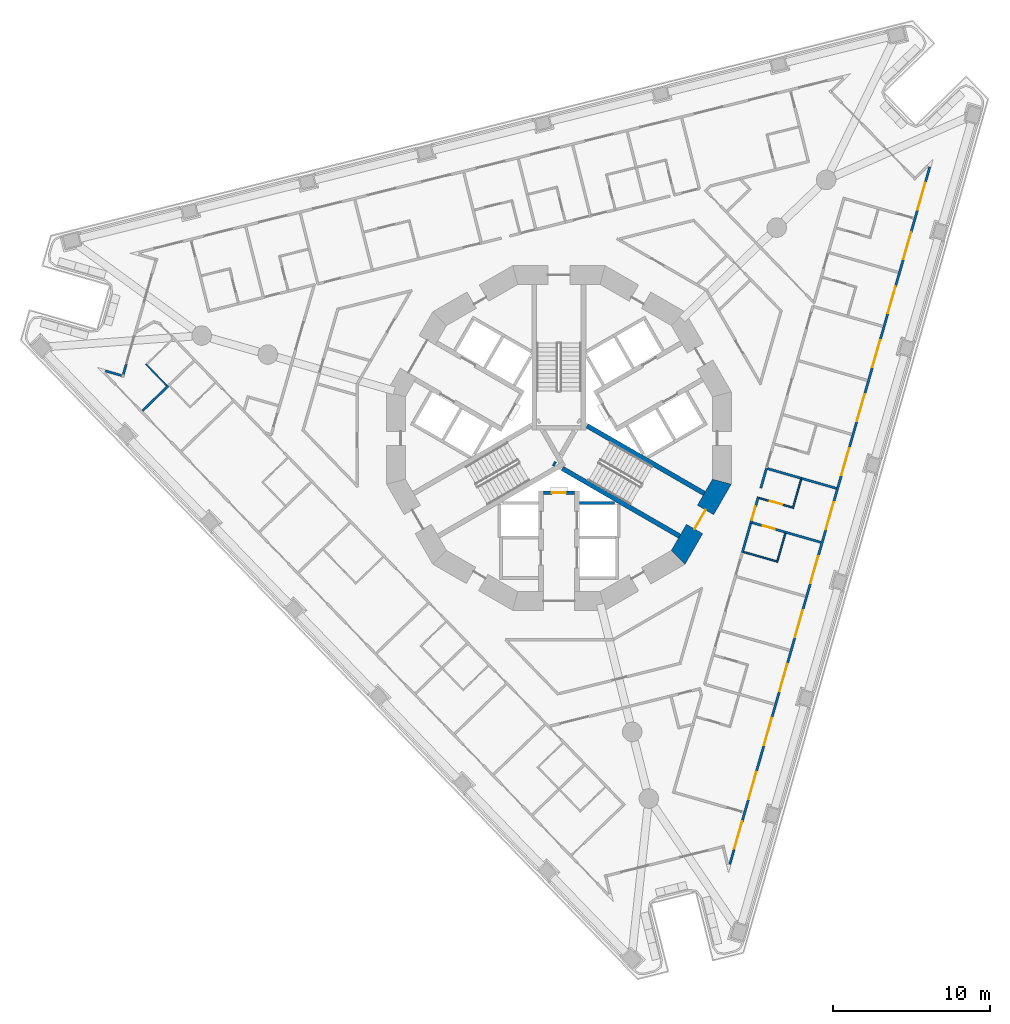
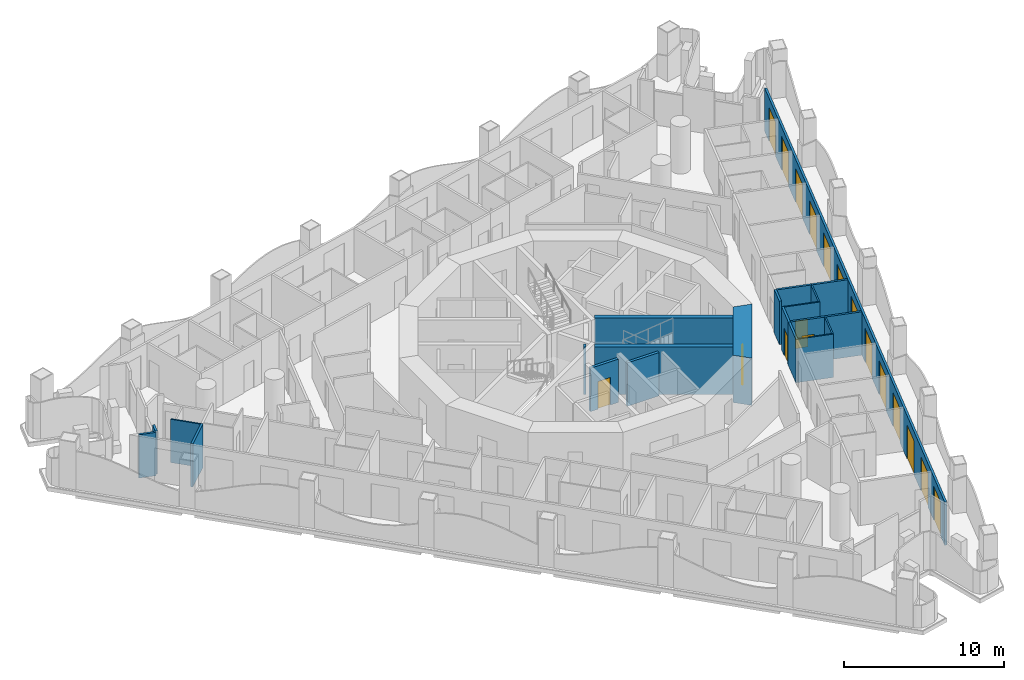
# One storey, part 5 of 19: 21 walls, 18 doors, 18 openings.
"""IFC4 building model written with IfcOpenShell, lengths in metres."""

from ifc_helpers import new_model, si_unit, direction, frame, frame_2d, origin, place, context, subcontext, project, spatial, polyline, rectangle, outline, extrude, material, layer, layer_set, type_object, element, fill, save


model = new_model("IFC4")

# Units and contexts
model_context = context("Model", 3, precision=1e-05, world=origin(), true_north=direction((0.0, 1.0)))
body_context = subcontext(model_context, "Body", "Model", "MODEL_VIEW")
ifc_project = project(units=[si_unit("LENGTHUNIT", "METRE"), si_unit("AREAUNIT", "SQUARE_METRE"), si_unit("VOLUMEUNIT", "CUBIC_METRE"), si_unit("PLANEANGLEUNIT", "RADIAN"), si_unit("MASSUNIT", "GRAM", prefix="KILO")], contexts=[model_context])

# Site, building, storey
site_placement = place(None, origin())
site = spatial("IfcSite", under=ifc_project, at=site_placement, CompositionType="ELEMENT")
building_placement = place(site_placement, origin())
building = spatial("IfcBuilding", under=site, at=building_placement, Name="Trine Commons Tower", CompositionType="ELEMENT")
storey_placement = place(building_placement, frame((0.0, 0.0, 105.300048828125)))
storey = spatial("IfcBuildingStorey", under=building, at=storey_placement, Name="L26", CompositionType="ELEMENT", Elevation=105.300048828125)

# Walls
ifc_material_1 = material(Name="Aluminium-framed insulated wall panel", Category="aluminium")
ifc_layer_1 = layer(ifc_material_1, 0.14990234375)
ifc_layer_set_1 = layer_set([ifc_layer_1], Name="Aluminium-framed insulated wall panel")
wall_type_1 = type_object("IfcWallType", Name="Glazed frame wall 150, EI 60", PredefinedType="SOLIDWALL", material=ifc_layer_set_1)
wall_1_placement = place(storey_placement, frame((50.88232421875, 66.82861328125, 0.0), z_axis=(0.0, 0.0, 1.0), x_axis=(0.961290718071, -0.275536123495, 0.0)))
element("IfcWall", 1, at=wall_1_placement, inside=storey, type_object=wall_type_1, Name="Glazed frame wall R1", PredefinedType="SOLIDWALL", context=body_context, shape_type="SweptSolid", body=[
    extrude(outline(polyline([(0.1494140625, 0.074951171875), (0.1494140625, -0.074951171875), (1.235107421875, -0.074951171875), (1.235107421875, 0.074951171875), (0.1494140625, 0.074951171875)])), origin(), (0.0, 0.0, 1.0), 3.300048828125),
])
wall_2_placement = place(storey_placement, frame((52.1318359375, 66.433837890625, 0.0), z_axis=(0.0, 0.0, 1.0), x_axis=(0.275567433055, 0.961281743215, 0.0)))
element("IfcWall", 2, at=wall_2_placement, inside=storey, type_object=wall_type_1, Name="Glazed frame wall P1.1", PredefinedType="SOLIDWALL", context=body_context, shape_type="SweptSolid", body=[
    extrude(outline(polyline([(0.110107421875, -0.074951171875), (0.800048828125, -0.074951171875), (0.800048828125, 0.074951171875), (0.110107421875, 0.074951171875), (0.110107421875, -0.074951171875)])), origin(), (0.0, 0.0, 1.0), 3.300048828125),
])

# Wall, openings, doors
wall_3_placement = place(storey_placement, frame((103.735107421875, 79.95703125, 0.0), z_axis=(0.0, 0.0, 1.0), x_axis=(-0.275637625225, -0.961261618687, 0.0)))
wall_3 = element("IfcWall", 3, at=wall_3_placement, inside=storey, type_object=wall_type_1, Name="Glazed frame wall F2", PredefinedType="SOLIDWALL", context=body_context, shape_type="SweptSolid", body=[
    extrude(outline(polyline([(0.1494140625, 0.074951171875), (0.1494140625, -0.074951171875), (46.496826171875, -0.074951171875), (46.496826171875, 0.074951171875), (0.1494140625, 0.074951171875)])), origin(), (0.0, 0.0, 1.0), 3.300048828125),
])
opening_1_placement = place(wall_3_placement, frame((1.194091796875, 0.0, 0.0)))
opening_1 = element("IfcOpeningElement", 4, at=opening_1_placement, cuts=wall_3, Name="Opening BD-3F2-01", PredefinedType="OPENING", context=body_context, shape_type="SweptSolid", body=[
    extrude(rectangle(XDim=1.800048828125, YDim=2.60009765625, at=frame_2d((0.89990234375, 1.300048828125))), frame((0.0, 0.0849609375, 0.0), z_axis=(0.0, -1.0, 0.0), x_axis=(1.0, 0.0, 0.0)), (0.0, 0.0, 1.0), 0.169921875),
])
opening_2_placement = place(wall_3_placement, frame((4.482421875, 0.0, 0.0)))
opening_2 = element("IfcOpeningElement", 5, at=opening_2_placement, cuts=wall_3, Name="Opening BD-3F2-02", PredefinedType="OPENING", context=body_context, shape_type="SweptSolid", body=[
    extrude(rectangle(XDim=1.800048828125, YDim=2.60009765625, at=frame_2d((0.89990234375, 1.300048828125))), frame((0.0, 0.0849609375, 0.0), z_axis=(0.0, -1.0, 0.0), x_axis=(1.0, 0.0, 0.0)), (0.0, 0.0, 1.0), 0.169921875),
])
opening_3_placement = place(wall_3_placement, frame((8.070556640625, 0.0, 0.0)))
opening_3 = element("IfcOpeningElement", 6, at=opening_3_placement, cuts=wall_3, Name="Opening BD-3F2-03", PredefinedType="OPENING", context=body_context, shape_type="SweptSolid", body=[
    extrude(rectangle(XDim=1.800048828125, YDim=2.60009765625, at=frame_2d((0.89990234375, 1.300048828125))), frame((0.0, 0.0849609375, 0.0), z_axis=(0.0, -1.0, 0.0), x_axis=(1.0, 0.0, 0.0)), (0.0, 0.0, 1.0), 0.169921875),
])
opening_4_placement = place(wall_3_placement, frame((11.65869140625, 0.0, 0.0)))
opening_4 = element("IfcOpeningElement", 7, at=opening_4_placement, cuts=wall_3, Name="Opening BD-3F2-04", PredefinedType="OPENING", context=body_context, shape_type="SweptSolid", body=[
    extrude(rectangle(XDim=1.800048828125, YDim=2.60009765625, at=frame_2d((0.89990234375, 1.300048828125))), frame((0.0, 0.0849609375, 0.0), z_axis=(0.0, -1.0, 0.0), x_axis=(1.0, 0.0, 0.0)), (0.0, 0.0, 1.0), 0.169921875),
])
opening_5_placement = place(wall_3_placement, frame((15.246826171875, 0.0, 0.0)))
opening_5 = element("IfcOpeningElement", 8, at=opening_5_placement, cuts=wall_3, Name="Opening BD-3F2-05", PredefinedType="OPENING", context=body_context, shape_type="SweptSolid", body=[
    extrude(rectangle(XDim=1.800048828125, YDim=2.60009765625, at=frame_2d((0.89990234375, 1.300048828125))), frame((0.0, 0.0849609375, 0.0), z_axis=(0.0, -1.0, 0.0), x_axis=(1.0, 0.0, 0.0)), (0.0, 0.0, 1.0), 0.169921875),
])
opening_6_placement = place(wall_3_placement, frame((18.835205078125, 0.0, 0.0)))
opening_6 = element("IfcOpeningElement", 9, at=opening_6_placement, cuts=wall_3, Name="Opening BD-3F2-06", PredefinedType="OPENING", context=body_context, shape_type="SweptSolid", body=[
    extrude(rectangle(XDim=1.800048828125, YDim=2.60009765625, at=frame_2d((0.89990234375, 1.300048828125))), frame((0.0, 0.0849609375, 0.0), z_axis=(0.0, -1.0, 0.0), x_axis=(1.0, 0.0, 0.0)), (0.0, 0.0, 1.0), 0.169921875),
])
opening_7_placement = place(wall_3_placement, frame((22.42333984375, 0.0, 0.0)))
opening_7 = element("IfcOpeningElement", 10, at=opening_7_placement, cuts=wall_3, Name="Opening BD-3F2-07", PredefinedType="OPENING", context=body_context, shape_type="SweptSolid", body=[
    extrude(rectangle(XDim=1.800048828125, YDim=2.60009765625, at=frame_2d((0.89990234375, 1.300048828125))), frame((0.0, 0.0849609375, 0.0), z_axis=(0.0, -1.0, 0.0), x_axis=(1.0, 0.0, 0.0)), (0.0, 0.0, 1.0), 0.169921875),
])
opening_8_placement = place(wall_3_placement, frame((26.011474609375, 0.0, 0.0)))
opening_8 = element("IfcOpeningElement", 11, at=opening_8_placement, cuts=wall_3, Name="Opening BD-3F2-08", PredefinedType="OPENING", context=body_context, shape_type="SweptSolid", body=[
    extrude(rectangle(XDim=1.800048828125, YDim=2.60009765625, at=frame_2d((0.89990234375, 1.300048828125))), frame((0.0, 0.0849609375, 0.0), z_axis=(0.0, -1.0, 0.0), x_axis=(1.0, 0.0, 0.0)), (0.0, 0.0, 1.0), 0.169921875),
])
opening_9_placement = place(wall_3_placement, frame((29.599609375, 0.0, 0.0)))
opening_9 = element("IfcOpeningElement", 12, at=opening_9_placement, cuts=wall_3, Name="Opening BD-3F2-09", PredefinedType="OPENING", context=body_context, shape_type="SweptSolid", body=[
    extrude(rectangle(XDim=1.800048828125, YDim=2.60009765625, at=frame_2d((0.89990234375, 1.300048828125))), frame((0.0, 0.0849609375, 0.0), z_axis=(0.0, -1.0, 0.0), x_axis=(1.0, 0.0, 0.0)), (0.0, 0.0, 1.0), 0.169921875),
])
opening_10_placement = place(wall_3_placement, frame((33.18798828125, 0.0, 0.0)))
opening_10 = element("IfcOpeningElement", 13, at=opening_10_placement, cuts=wall_3, Name="Opening BD-3F2-10", PredefinedType="OPENING", context=body_context, shape_type="SweptSolid", body=[
    extrude(rectangle(XDim=1.800048828125, YDim=2.60009765625, at=frame_2d((0.89990234375, 1.300048828125))), frame((0.0, 0.0849609375, 0.0), z_axis=(0.0, -1.0, 0.0), x_axis=(1.0, 0.0, 0.0)), (0.0, 0.0, 1.0), 0.169921875),
])
opening_11_placement = place(wall_3_placement, frame((36.776123046875, 0.0, 0.0)))
opening_11 = element("IfcOpeningElement", 14, at=opening_11_placement, cuts=wall_3, Name="Opening BD-3F2-11", PredefinedType="OPENING", context=body_context, shape_type="SweptSolid", body=[
    extrude(rectangle(XDim=1.800048828125, YDim=2.60009765625, at=frame_2d((0.89990234375, 1.300048828125))), frame((0.0, 0.0849609375, 0.0), z_axis=(0.0, -1.0, 0.0), x_axis=(1.0, 0.0, 0.0)), (0.0, 0.0, 1.0), 0.169921875),
])
opening_12_placement = place(wall_3_placement, frame((40.3642578125, 0.0, 0.0)))
opening_12 = element("IfcOpeningElement", 15, at=opening_12_placement, cuts=wall_3, Name="Opening BD-3F2-12", PredefinedType="OPENING", context=body_context, shape_type="SweptSolid", body=[
    extrude(rectangle(XDim=1.800048828125, YDim=2.60009765625, at=frame_2d((0.89990234375, 1.300048828125))), frame((0.0, 0.0849609375, 0.0), z_axis=(0.0, -1.0, 0.0), x_axis=(1.0, 0.0, 0.0)), (0.0, 0.0, 1.0), 0.169921875),
])
opening_13_placement = place(wall_3_placement, frame((43.652587890625, 0.0, 0.0)))
opening_13 = element("IfcOpeningElement", 16, at=opening_13_placement, cuts=wall_3, Name="Opening BD-3F2-13", PredefinedType="OPENING", context=body_context, shape_type="SweptSolid", body=[
    extrude(rectangle(XDim=1.800048828125, YDim=2.60009765625, at=frame_2d((0.89990234375, 1.300048828125))), frame((0.0, 0.0849609375, 0.0), z_axis=(0.0, -1.0, 0.0), x_axis=(1.0, 0.0, 0.0)), (0.0, 0.0, 1.0), 0.169921875),
])
ifc_material_2 = material(Name="Anodised aluminium frame with double glazing", Category="aluminium")
door_type_1 = type_object("IfcDoorType", Name="Sliding loggia door 1800x2600", OperationType="SLIDING_TO_LEFT", PredefinedType="DOOR", material=ifc_material_2)
door_1_placement = place(opening_1_placement, origin())
door_1 = element("IfcDoor", 17, at=door_1_placement, inside=storey, type_object=door_type_1, Name="Loggia door F2 1", OperationType="SLIDING_TO_LEFT", OverallHeight=2.60009765625, OverallWidth=1.800048828125, PredefinedType="DOOR", context=body_context, shape_type="SweptSolid", body=[
    extrude(rectangle(XDim=1.800048828125, YDim=2.60009765625, at=frame_2d((0.89990234375, 1.300048828125))), frame((0.0, 0.02490234375, 0.0), z_axis=(0.0, -1.0, 0.0), x_axis=(1.0, 0.0, 0.0)), (0.0, 0.0, 1.0), 0.050048828125),
])
fill(opening_1, door_1)
door_2_placement = place(opening_2_placement, origin())
door_2 = element("IfcDoor", 18, at=door_2_placement, inside=storey, type_object=door_type_1, Name="Loggia door F2 2", OperationType="SLIDING_TO_LEFT", OverallHeight=2.60009765625, OverallWidth=1.800048828125, PredefinedType="DOOR", context=body_context, shape_type="SweptSolid", body=[
    extrude(rectangle(XDim=1.800048828125, YDim=2.60009765625, at=frame_2d((0.89990234375, 1.300048828125))), frame((0.0, 0.02490234375, 0.0), z_axis=(0.0, -1.0, 0.0), x_axis=(1.0, 0.0, 0.0)), (0.0, 0.0, 1.0), 0.050048828125),
])
fill(opening_2, door_2)
door_3_placement = place(opening_3_placement, origin())
door_3 = element("IfcDoor", 19, at=door_3_placement, inside=storey, type_object=door_type_1, Name="Loggia door F2 3", OperationType="SLIDING_TO_LEFT", OverallHeight=2.60009765625, OverallWidth=1.800048828125, PredefinedType="DOOR", context=body_context, shape_type="SweptSolid", body=[
    extrude(rectangle(XDim=1.800048828125, YDim=2.60009765625, at=frame_2d((0.89990234375, 1.300048828125))), frame((0.0, 0.02490234375, 0.0), z_axis=(0.0, -1.0, 0.0), x_axis=(1.0, 0.0, 0.0)), (0.0, 0.0, 1.0), 0.050048828125),
])
fill(opening_3, door_3)
door_4_placement = place(opening_4_placement, origin())
door_4 = element("IfcDoor", 20, at=door_4_placement, inside=storey, type_object=door_type_1, Name="Loggia door F2 4", OperationType="SLIDING_TO_LEFT", OverallHeight=2.60009765625, OverallWidth=1.800048828125, PredefinedType="DOOR", context=body_context, shape_type="SweptSolid", body=[
    extrude(rectangle(XDim=1.800048828125, YDim=2.60009765625, at=frame_2d((0.89990234375, 1.300048828125))), frame((0.0, 0.02490234375, 0.0), z_axis=(0.0, -1.0, 0.0), x_axis=(1.0, 0.0, 0.0)), (0.0, 0.0, 1.0), 0.050048828125),
])
fill(opening_4, door_4)
door_5_placement = place(opening_5_placement, origin())
door_5 = element("IfcDoor", 21, at=door_5_placement, inside=storey, type_object=door_type_1, Name="Loggia door F2 5", OperationType="SLIDING_TO_LEFT", OverallHeight=2.60009765625, OverallWidth=1.800048828125, PredefinedType="DOOR", context=body_context, shape_type="SweptSolid", body=[
    extrude(rectangle(XDim=1.800048828125, YDim=2.60009765625, at=frame_2d((0.89990234375, 1.300048828125))), frame((0.0, 0.02490234375, 0.0), z_axis=(0.0, -1.0, 0.0), x_axis=(1.0, 0.0, 0.0)), (0.0, 0.0, 1.0), 0.050048828125),
])
fill(opening_5, door_5)
door_6_placement = place(opening_6_placement, origin())
door_6 = element("IfcDoor", 22, at=door_6_placement, inside=storey, type_object=door_type_1, Name="Loggia door F2 6", OperationType="SLIDING_TO_LEFT", OverallHeight=2.60009765625, OverallWidth=1.800048828125, PredefinedType="DOOR", context=body_context, shape_type="SweptSolid", body=[
    extrude(rectangle(XDim=1.800048828125, YDim=2.60009765625, at=frame_2d((0.89990234375, 1.300048828125))), frame((0.0, 0.02490234375, 0.0), z_axis=(0.0, -1.0, 0.0), x_axis=(1.0, 0.0, 0.0)), (0.0, 0.0, 1.0), 0.050048828125),
])
fill(opening_6, door_6)
door_7_placement = place(opening_7_placement, origin())
door_7 = element("IfcDoor", 23, at=door_7_placement, inside=storey, type_object=door_type_1, Name="Loggia door F2 7", OperationType="SLIDING_TO_LEFT", OverallHeight=2.60009765625, OverallWidth=1.800048828125, PredefinedType="DOOR", context=body_context, shape_type="SweptSolid", body=[
    extrude(rectangle(XDim=1.800048828125, YDim=2.60009765625, at=frame_2d((0.89990234375, 1.300048828125))), frame((0.0, 0.02490234375, 0.0), z_axis=(0.0, -1.0, 0.0), x_axis=(1.0, 0.0, 0.0)), (0.0, 0.0, 1.0), 0.050048828125),
])
fill(opening_7, door_7)
door_8_placement = place(opening_8_placement, origin())
door_8 = element("IfcDoor", 24, at=door_8_placement, inside=storey, type_object=door_type_1, Name="Loggia door F2 8", OperationType="SLIDING_TO_LEFT", OverallHeight=2.60009765625, OverallWidth=1.800048828125, PredefinedType="DOOR", context=body_context, shape_type="SweptSolid", body=[
    extrude(rectangle(XDim=1.800048828125, YDim=2.60009765625, at=frame_2d((0.89990234375, 1.300048828125))), frame((0.0, 0.02490234375, 0.0), z_axis=(0.0, -1.0, 0.0), x_axis=(1.0, 0.0, 0.0)), (0.0, 0.0, 1.0), 0.050048828125),
])
fill(opening_8, door_8)
door_9_placement = place(opening_9_placement, origin())
door_9 = element("IfcDoor", 25, at=door_9_placement, inside=storey, type_object=door_type_1, Name="Loggia door F2 9", OperationType="SLIDING_TO_LEFT", OverallHeight=2.60009765625, OverallWidth=1.800048828125, PredefinedType="DOOR", context=body_context, shape_type="SweptSolid", body=[
    extrude(rectangle(XDim=1.800048828125, YDim=2.60009765625, at=frame_2d((0.89990234375, 1.300048828125))), frame((0.0, 0.02490234375, 0.0), z_axis=(0.0, -1.0, 0.0), x_axis=(1.0, 0.0, 0.0)), (0.0, 0.0, 1.0), 0.050048828125),
])
fill(opening_9, door_9)
door_10_placement = place(opening_10_placement, origin())
door_10 = element("IfcDoor", 26, at=door_10_placement, inside=storey, type_object=door_type_1, Name="Loggia door F2 10", OperationType="SLIDING_TO_LEFT", OverallHeight=2.60009765625, OverallWidth=1.800048828125, PredefinedType="DOOR", context=body_context, shape_type="SweptSolid", body=[
    extrude(rectangle(XDim=1.800048828125, YDim=2.60009765625, at=frame_2d((0.89990234375, 1.300048828125))), frame((0.0, 0.02490234375, 0.0), z_axis=(0.0, -1.0, 0.0), x_axis=(1.0, 0.0, 0.0)), (0.0, 0.0, 1.0), 0.050048828125),
])
fill(opening_10, door_10)
door_11_placement = place(opening_11_placement, origin())
door_11 = element("IfcDoor", 27, at=door_11_placement, inside=storey, type_object=door_type_1, Name="Loggia door F2 11", OperationType="SLIDING_TO_LEFT", OverallHeight=2.60009765625, OverallWidth=1.800048828125, PredefinedType="DOOR", context=body_context, shape_type="SweptSolid", body=[
    extrude(rectangle(XDim=1.800048828125, YDim=2.60009765625, at=frame_2d((0.89990234375, 1.300048828125))), frame((0.0, 0.02490234375, 0.0), z_axis=(0.0, -1.0, 0.0), x_axis=(1.0, 0.0, 0.0)), (0.0, 0.0, 1.0), 0.050048828125),
])
fill(opening_11, door_11)
door_12_placement = place(opening_12_placement, origin())
door_12 = element("IfcDoor", 28, at=door_12_placement, inside=storey, type_object=door_type_1, Name="Loggia door F2 12", OperationType="SLIDING_TO_LEFT", OverallHeight=2.60009765625, OverallWidth=1.800048828125, PredefinedType="DOOR", context=body_context, shape_type="SweptSolid", body=[
    extrude(rectangle(XDim=1.800048828125, YDim=2.60009765625, at=frame_2d((0.89990234375, 1.300048828125))), frame((0.0, 0.02490234375, 0.0), z_axis=(0.0, -1.0, 0.0), x_axis=(1.0, 0.0, 0.0)), (0.0, 0.0, 1.0), 0.050048828125),
])
fill(opening_12, door_12)
door_13_placement = place(opening_13_placement, origin())
door_13 = element("IfcDoor", 29, at=door_13_placement, inside=storey, type_object=door_type_1, Name="Loggia door F2 13", OperationType="SLIDING_TO_LEFT", OverallHeight=2.60009765625, OverallWidth=1.800048828125, PredefinedType="DOOR", context=body_context, shape_type="SweptSolid", body=[
    extrude(rectangle(XDim=1.800048828125, YDim=2.60009765625, at=frame_2d((0.89990234375, 1.300048828125))), frame((0.0, 0.02490234375, 0.0), z_axis=(0.0, -1.0, 0.0), x_axis=(1.0, 0.0, 0.0)), (0.0, 0.0, 1.0), 0.050048828125),
])
fill(opening_13, door_13)

# Wall, opening, door
ifc_material_3 = material(Name="Fire-rated gypsum shaft wall system")
ifc_layer_2 = layer(ifc_material_3, 0.199951171875)
ifc_layer_set_2 = layer_set([ifc_layer_2], Name="Fire-rated gypsum shaft wall system")
wall_type_2 = type_object("IfcWallType", Name="Lobby end wall 200 mm, EI 120", PredefinedType="PARTITIONING", material=ifc_layer_set_2)
wall_4_placement = place(storey_placement, frame((79.0, 59.0, 0.0), z_axis=(0.0, 0.0, 1.0), x_axis=(1.0, 0.0, 0.0)))
wall_4 = element("IfcWall", 30, at=wall_4_placement, inside=storey, type_object=wall_type_2, Name="Lobby end wall L26", PredefinedType="PARTITIONING", context=body_context, shape_type="SweptSolid", body=[
    extrude(rectangle(XDim=2.0, YDim=0.199951171875, at=frame_2d((1.0, 0.0))), origin(), (0.0, 0.0, 1.0), 3.300048828125),
])
opening_14_placement = place(wall_4_placement, frame((0.550048828125, 0.0, 0.0)))
opening_14 = element("IfcOpeningElement", 31, at=opening_14_placement, cuts=wall_4, Name="Opening K05.09", PredefinedType="OPENING", context=body_context, shape_type="SweptSolid", body=[
    extrude(rectangle(XDim=0.89990234375, YDim=2.10009765625, at=frame_2d((0.449951171875, 1.050048828125))), frame((0.0, 0.10986328125, 0.0), z_axis=(0.0, -1.0, 0.0), x_axis=(1.0, 0.0, 0.0)), (0.0, 0.0, 1.0), 0.219970703125),
])
ifc_material_4 = material(Name="Steel door leaf, fire-rated", Category="steel")
door_type_2 = type_object("IfcDoorType", Name="Riser access door, single leaf 900 x 2100, FD60", OperationType="SINGLE_SWING_LEFT", PredefinedType="DOOR", material=ifc_material_4)
door_14_placement = place(opening_14_placement, frame((0.89990234375, 0.0, 0.0), z_axis=(0.0, 0.0, 1.0), x_axis=(-1.0, 0.0, 0.0)))
door_14 = element("IfcDoor", 32, at=door_14_placement, inside=storey, type_object=door_type_2, Name="Riser door, Communications riser L26", OperationType="SINGLE_SWING_RIGHT", OverallHeight=2.10009765625, OverallWidth=0.89990234375, PredefinedType="DOOR", context=body_context, shape_type="SweptSolid", body=[
    extrude(rectangle(XDim=0.89990234375, YDim=2.10009765625, at=frame_2d((0.449951171875, 1.050048828125))), frame((0.0, 0.02490234375, 0.0), z_axis=(0.0, -1.0, 0.0), x_axis=(1.0, 0.0, 0.0)), (0.0, 0.0, 1.0), 0.050048828125),
])
fill(opening_14, door_14)

ifc_material_5 = material(Name="Concrete C70/85", Category="concrete")
ifc_layer_3 = layer(ifc_material_5, 1.199951171875)
ifc_layer_set_3 = layer_set([ifc_layer_3], Name="Concrete C70/85")
wall_type_3 = type_object("IfcWallType", Name="RC shear wall 1200 mm, C70/85", PredefinedType="SHEAR", material=ifc_layer_set_3)
wall_5_placement = place(storey_placement, frame((87.54150390625, 54.739013671875, 0.0), z_axis=(0.0, 0.0, 1.0), x_axis=(0.499979111662, 0.866037463336, 0.0)))
wall_5 = element("IfcWall", 33, at=wall_5_placement, inside=storey, type_object=wall_type_3, Name="Core wall CWC-12 L26", PredefinedType="SHEAR", context=body_context, shape_type="SweptSolid", body=[
    extrude(outline(polyline([(0.0, -0.60009765625), (5.901123046875, -0.60009765625), (5.57958984375, 0.60009765625), (0.321533203125, 0.60009765625), (0.0, -0.60009765625)])), origin(), (0.0, 0.0, 1.0), 3.599853515625),
])
opening_15_placement = place(wall_5_placement, frame((2.25048828125, 0.0, 0.0)))
opening_15 = element("IfcOpeningElement", 34, at=opening_15_placement, cuts=wall_5, Name="Opening K05.03", PredefinedType="OPENING", context=body_context, shape_type="SweptSolid", body=[
    extrude(rectangle(XDim=1.39990234375, YDim=2.10009765625, at=frame_2d((0.699951171875, 1.050048828125))), frame((0.0, 0.60986328125, 0.0), z_axis=(0.0, -1.0, 0.0), x_axis=(1.0, 0.0, 0.0)), (0.0, 0.0, 1.0), 1.219970703125),
])
ifc_material_6 = material(Name="Steel door leaves, fire-rated", Category="steel")
door_type_3 = type_object("IfcDoorType", Name="Stair door, double leaf 1400 x 2100, FD90", OperationType="DOUBLE_DOOR_SINGLE_SWING", PredefinedType="DOOR", material=ifc_material_6)
door_15_placement = place(opening_15_placement, origin())
door_15 = element("IfcDoor", 35, at=door_15_placement, inside=storey, type_object=door_type_3, Name="Stair door to Exit stair ST3A L26", OperationType="DOUBLE_DOOR_SINGLE_SWING", OverallHeight=2.10009765625, OverallWidth=1.39990234375, PredefinedType="DOOR", context=body_context, shape_type="SweptSolid", body=[
    extrude(rectangle(XDim=1.39990234375, YDim=2.10009765625, at=frame_2d((0.699951171875, 1.050048828125))), frame((0.0, 0.02490234375, 0.0), z_axis=(0.0, -1.0, 0.0), x_axis=(1.0, 0.0, 0.0)), (0.0, 0.0, 1.0), 0.050048828125),
])
fill(opening_15, door_15)

# Walls
ifc_layer_4 = layer(ifc_material_5, 0.300048828125)
ifc_layer_set_4 = layer_set([ifc_layer_4], Name="Concrete C70/85")
wall_type_4 = type_object("IfcWallType", Name="RC shear wall 300 mm, C70/85", PredefinedType="SHEAR", material=ifc_layer_set_4)
wall_6_placement = place(storey_placement, frame((79.64599609375, 60.885986328125, 0.0), z_axis=(0.0, 0.0, 1.0), x_axis=(0.867331893649, -0.497730234424, 0.0)))
element("IfcWall", 36, at=wall_6_placement, inside=storey, type_object=wall_type_4, Name="Core cross wall SWA-11 L26", PredefinedType="SHEAR", context=body_context, shape_type="SweptSolid", body=[
    extrude(rectangle(XDim=0.148681640625, YDim=0.300048828125, at=frame_2d((0.07421875, 0.0))), origin(), (0.0, 0.0, 1.0), 3.599853515625),
])
for number, where, z_axis, x_axis, name in (
    (37, (80.22509765625, 60.552001953125, 0.0), (0.0, 0.0, 1.0), (0.865965399159, -0.500103916661, 0.0), "Core cross wall SWA-13 L26"),
    (38, (81.800048828125, 63.280029296875, 0.0), (0.0, 0.0, 1.0), (0.865965399159, -0.500103916661, 0.0), "Core cross wall SWA-18 L26"),
):
    element("IfcWall", number, at=place(storey_placement, frame(where, z_axis=z_axis, x_axis=x_axis)), inside=storey, type_object=wall_type_4, Name=name, PredefinedType="SHEAR", context=body_context, shape_type="SweptSolid", body=[
        extrude(rectangle(XDim=8.642333984375, YDim=0.300048828125, at=frame_2d((4.3212890625, 0.0))), origin(), (0.0, 0.0, 1.0), 3.599853515625),
    ])
ifc_layer_5 = layer(ifc_material_3, 0.199951171875)
ifc_layer_set_5 = layer_set([ifc_layer_5], Name="Fire-rated gypsum shaft wall system")
wall_type_5 = type_object("IfcWallType", Name="Shaft wall 200 mm, EI 120", PredefinedType="PARTITIONING", material=ifc_layer_set_5)
wall_7_placement = place(storey_placement, frame((81.300048828125, 58.35009765625, 0.0), z_axis=(0.0, 0.0, 1.0), x_axis=(1.0, 0.0, 0.0)))
element("IfcWall", 39, at=wall_7_placement, inside=storey, type_object=wall_type_5, Name="Shaft wall L26", PredefinedType="PARTITIONING", context=body_context, shape_type="SweptSolid", body=[
    extrude(rectangle(XDim=2.264892578125, YDim=0.199951171875, at=frame_2d((1.13232421875, 0.0))), origin(), (0.0, 0.0, 1.0), 3.300048828125),
])
ifc_material_7 = material(Name="Gypsum plasterboard on steel stud", Category="steel")
ifc_layer_6 = layer(ifc_material_7, 0.14990234375)
ifc_layer_set_6 = layer_set([ifc_layer_6], Name="Gypsum plasterboard on steel stud")
wall_type_6 = type_object("IfcWallType", Name="Unit and corridor wall 150 mm, EI 60", PredefinedType="PARTITIONING", material=ifc_layer_set_6)
wall_8_placement = place(storey_placement, frame((53.393798828125, 64.24169921875, 0.0), z_axis=(0.0, 0.0, 1.0), x_axis=(0.719519490092, 0.694472248098, 0.0)))
element("IfcWall", 40, at=wall_8_placement, inside=storey, type_object=wall_type_6, Name="Partition 002", PredefinedType="PARTITIONING", context=body_context, shape_type="SweptSolid", body=[
    extrude(rectangle(XDim=2.28076171875, YDim=0.14990234375, at=frame_2d((1.140380859375, 0.0))), origin(), (0.0, 0.0, 1.0), 3.300048828125),
])
wall_9_placement = place(storey_placement, frame((91.72021484375, 55.18798828125, 0.0), z_axis=(0.0, 0.0, 1.0), x_axis=(0.275331431245, 0.961349365719, 0.0)))
element("IfcWall", 41, at=wall_9_placement, inside=storey, type_object=wall_type_6, Name="Partition 120", PredefinedType="PARTITIONING", context=body_context, shape_type="SweptSolid", body=[
    extrude(rectangle(XDim=2.007568359375, YDim=0.14990234375, at=frame_2d((1.00390625, 0.0))), origin(), (0.0, 0.0, 1.0), 3.300048828125),
])

# Wall, opening, door
wall_10_placement = place(storey_placement, frame((92.250244140625, 57.037841796875, 0.0), z_axis=(0.0, 0.0, 1.0), x_axis=(0.275685406423, 0.961247916349, 0.0)))
wall_10 = element("IfcWall", 42, at=wall_10_placement, inside=storey, type_object=wall_type_6, Name="Partition 122", PredefinedType="PARTITIONING", context=body_context, shape_type="SweptSolid", body=[
    extrude(rectangle(XDim=1.77197265625, YDim=0.14990234375, at=frame_2d((0.885986328125, 0.0))), origin(), (0.0, 0.0, 1.0), 3.300048828125),
])
opening_16_placement = place(wall_10_placement, frame((0.22900390625, 0.0, 0.0)))
opening_16 = element("IfcOpeningElement", 43, at=opening_16_placement, cuts=wall_10, Name="Opening D-3B21", PredefinedType="OPENING", context=body_context, shape_type="SweptSolid", body=[
    extrude(rectangle(XDim=0.89990234375, YDim=2.10009765625, at=frame_2d((0.449951171875, 1.050048828125))), frame((0.0, 0.0849609375, 0.0), z_axis=(0.0, -1.0, 0.0), x_axis=(1.0, 0.0, 0.0)), (0.0, 0.0, 1.0), 0.169921875),
])
ifc_material_8 = material(Name="Timber fire door set", Category="wood")
door_type_4 = type_object("IfcDoorType", Name="Bedroom door 900 x 2100, FD30S", OperationType="NOTDEFINED", PredefinedType="DOOR", material=ifc_material_8)
door_16_placement = place(opening_16_placement, frame((0.89990234375, 0.0, 0.0), z_axis=(0.0, 0.0, 1.0), x_axis=(-1.0, 0.0, 0.0)))
door_16 = element("IfcDoor", 44, at=door_16_placement, inside=storey, type_object=door_type_4, Name="Door D-3B21", OperationType="SINGLE_SWING_RIGHT", OverallHeight=2.10009765625, OverallWidth=0.89990234375, PredefinedType="DOOR", context=body_context, shape_type="SweptSolid", body=[
    extrude(rectangle(XDim=0.89990234375, YDim=2.10009765625, at=frame_2d((0.449951171875, 1.050048828125))), frame((0.0, 0.02490234375, 0.0), z_axis=(0.0, -1.0, 0.0), x_axis=(1.0, 0.0, 0.0)), (0.0, 0.0, 1.0), 0.050048828125),
])
fill(opening_16, door_16)

wall_11_placement = place(storey_placement, frame((92.343994140625, 57.09326171875, 0.0), z_axis=(0.0, 0.0, 1.0), x_axis=(0.961269673231, -0.275609534171, 0.0)))
wall_11 = element("IfcWall", 45, at=wall_11_placement, inside=storey, type_object=wall_type_6, Name="Partition 123", PredefinedType="PARTITIONING", context=body_context, shape_type="SweptSolid", body=[
    extrude(rectangle(XDim=4.572509765625, YDim=0.14990234375, at=frame_2d((2.2861328125, 0.0))), origin(), (0.0, 0.0, 1.0), 3.300048828125),
])
opening_17_placement = place(wall_11_placement, frame((0.712646484375, 0.0, 0.0)))
opening_17 = element("IfcOpeningElement", 46, at=opening_17_placement, cuts=wall_11, Name="Opening D-3B55", PredefinedType="OPENING", context=body_context, shape_type="SweptSolid", body=[
    extrude(rectangle(XDim=0.800048828125, YDim=2.10009765625, at=frame_2d((0.39990234375, 1.050048828125))), frame((0.0, 0.0849609375, 0.0), z_axis=(0.0, -1.0, 0.0), x_axis=(1.0, 0.0, 0.0)), (0.0, 0.0, 1.0), 0.169921875),
])
ifc_material_9 = material(Name="Painted timber", Category="wood")
door_type_5 = type_object("IfcDoorType", Name="Internal door 800 x 2100, NOT RATED", OperationType="NOTDEFINED", PredefinedType="DOOR", material=ifc_material_9)
door_17_placement = place(opening_17_placement, origin())
door_17 = element("IfcDoor", 47, at=door_17_placement, inside=storey, type_object=door_type_5, Name="Door D-3B55", OperationType="SINGLE_SWING_LEFT", OverallHeight=2.10009765625, OverallWidth=0.800048828125, PredefinedType="DOOR", context=body_context, shape_type="SweptSolid", body=[
    extrude(rectangle(XDim=0.800048828125, YDim=2.10009765625, at=frame_2d((0.39990234375, 1.050048828125))), frame((0.0, 0.02490234375, 0.0), z_axis=(0.0, -1.0, 0.0), x_axis=(1.0, 0.0, 0.0)), (0.0, 0.0, 1.0), 0.050048828125),
])
fill(opening_17, door_17)

# Walls
wall_12_placement = place(storey_placement, frame((92.89892578125, 59.299072265625, 0.0), z_axis=(0.0, 0.0, 1.0), x_axis=(0.275722362281, 0.961237316659, 0.0)))
element("IfcWall", 48, at=wall_12_placement, inside=storey, type_object=wall_type_6, Name="Partition 127", PredefinedType="PARTITIONING", context=body_context, shape_type="SweptSolid", body=[
    extrude(rectangle(XDim=1.3203125, YDim=0.14990234375, at=frame_2d((0.66015625, 0.0))), origin(), (0.0, 0.0, 1.0), 3.300048828125),
])
wall_13_placement = place(storey_placement, frame((93.3330078125, 60.543212890625, 0.0), z_axis=(0.0, 0.0, 1.0), x_axis=(0.96127791106, -0.275580800688, 0.0)))
element("IfcWall", 49, at=wall_13_placement, inside=storey, type_object=wall_type_6, Name="Partition 129", PredefinedType="PARTITIONING", context=body_context, shape_type="SweptSolid", body=[
    extrude(rectangle(XDim=2.250244140625, YDim=0.14990234375, at=frame_2d((1.125, 0.0))), origin(), (0.0, 0.0, 1.0), 3.300048828125),
])
wall_14_placement = place(storey_placement, frame((95.43994140625, 59.938720703125, 0.0), z_axis=(0.0, 0.0, 1.0), x_axis=(0.961314697261, -0.275452451125, 0.0)))
element("IfcWall", 50, at=wall_14_placement, inside=storey, type_object=wall_type_6, Name="Partition 141", PredefinedType="PARTITIONING", context=body_context, shape_type="SweptSolid", body=[
    extrude(rectangle(XDim=2.380615234375, YDim=0.14990234375, at=frame_2d((1.1904296875, 0.0))), origin(), (0.0, 0.0, 1.0), 3.300048828125),
])
ifc_layer_7 = layer(ifc_material_7, 0.10009765625)
ifc_layer_set_7 = layer_set([ifc_layer_7], Name="Gypsum plasterboard on steel stud")
wall_type_7 = type_object("IfcWallType", Name="Unit partition 100 mm, no rating", PredefinedType="PARTITIONING", material=ifc_layer_set_7)
wall_15_placement = place(storey_placement, frame((53.607421875, 67.22802734375, 0.0), z_axis=(0.0, 0.0, 1.0), x_axis=(0.694372631144, -0.719615625955, 0.0)))
element("IfcWall", 51, at=wall_15_placement, inside=storey, type_object=wall_type_7, Name="Partition 003", PredefinedType="PARTITIONING", context=body_context, shape_type="SweptSolid", body=[
    extrude(rectangle(XDim=1.924560546875, YDim=0.10009765625, at=frame_2d((0.96240234375, 0.0))), origin(), (0.0, 0.0, 1.0), 3.300048828125),
])
wall_16_placement = place(storey_placement, frame((91.80615234375, 55.21923828125, 0.0), z_axis=(0.0, 0.0, 1.0), x_axis=(0.961280606162, -0.275571399489, 0.0)))
element("IfcWall", 52, at=wall_16_placement, inside=storey, type_object=wall_type_7, Name="Partition 121", PredefinedType="PARTITIONING", context=body_context, shape_type="SweptSolid", body=[
    extrude(rectangle(XDim=2.275146484375, YDim=0.10009765625, at=frame_2d((1.1376953125, 0.0))), origin(), (0.0, 0.0, 1.0), 3.300048828125),
])

# Wall, opening, door
wall_17_placement = place(storey_placement, frame((92.795166015625, 58.668212890625, 0.0), z_axis=(0.0, 0.0, 1.0), x_axis=(0.961270855658, -0.275605410075, 0.0)))
wall_17 = element("IfcWall", 53, at=wall_17_placement, inside=storey, type_object=wall_type_7, Name="Partition 125", PredefinedType="PARTITIONING", context=body_context, shape_type="SweptSolid", body=[
    extrude(rectangle(XDim=2.296875, YDim=0.10009765625, at=frame_2d((1.1484375, 0.0))), origin(), (0.0, 0.0, 1.0), 3.300048828125),
])
opening_18_placement = place(wall_17_placement, frame((0.723388671875, 0.0, 0.0)))
opening_18 = element("IfcOpeningElement", 54, at=opening_18_placement, cuts=wall_17, Name="Opening D-3B54", PredefinedType="OPENING", context=body_context, shape_type="SweptSolid", body=[
    extrude(rectangle(XDim=0.800048828125, YDim=2.10009765625, at=frame_2d((0.39990234375, 1.050048828125))), frame((0.0, 0.06005859375, 0.0), z_axis=(0.0, -1.0, 0.0), x_axis=(1.0, 0.0, 0.0)), (0.0, 0.0, 1.0), 0.1201171875),
])
door_18_placement = place(opening_18_placement, frame((0.800048828125, 0.0, 0.0), z_axis=(0.0, 0.0, 1.0), x_axis=(-1.0, 0.0, 0.0)))
door_18 = element("IfcDoor", 55, at=door_18_placement, inside=storey, type_object=door_type_5, Name="Door D-3B54", OperationType="SINGLE_SWING_RIGHT", OverallHeight=2.10009765625, OverallWidth=0.800048828125, PredefinedType="DOOR", context=body_context, shape_type="SweptSolid", body=[
    extrude(rectangle(XDim=0.800048828125, YDim=2.10009765625, at=frame_2d((0.39990234375, 1.050048828125))), frame((0.0, 0.02490234375, 0.0), z_axis=(0.0, -1.0, 0.0), x_axis=(1.0, 0.0, 0.0)), (0.0, 0.0, 1.0), 0.050048828125),
])
fill(opening_18, door_18)

# Walls
wall_18_placement = place(storey_placement, frame((93.958740234375, 54.654052734375, 0.0), z_axis=(0.0, 0.0, 1.0), x_axis=(0.276010827841, 0.961154526034, 0.0)))
element("IfcWall", 56, at=wall_18_placement, inside=storey, type_object=wall_type_7, Name="Partition 134", PredefinedType="PARTITIONING", context=body_context, shape_type="SweptSolid", body=[
    extrude(rectangle(XDim=1.82470703125, YDim=0.10009765625, at=frame_2d((0.912353515625, 0.0))), origin(), (0.0, 0.0, 1.0), 3.300048828125),
])
wall_19_placement = place(storey_placement, frame((94.96875, 58.09716796875, 0.0), z_axis=(0.0, 0.0, 1.0), x_axis=(0.275410043063, 0.961326847737, 0.0)))
element("IfcWall", 57, at=wall_19_placement, inside=storey, type_object=wall_type_7, Name="Partition 138", PredefinedType="PARTITIONING", context=body_context, shape_type="SweptSolid", body=[
    extrude(rectangle(XDim=1.8251953125, YDim=0.10009765625, at=frame_2d((0.91259765625, 0.0))), origin(), (0.0, 0.0, 1.0), 3.300048828125),
])

save(model, "model.ifc")
